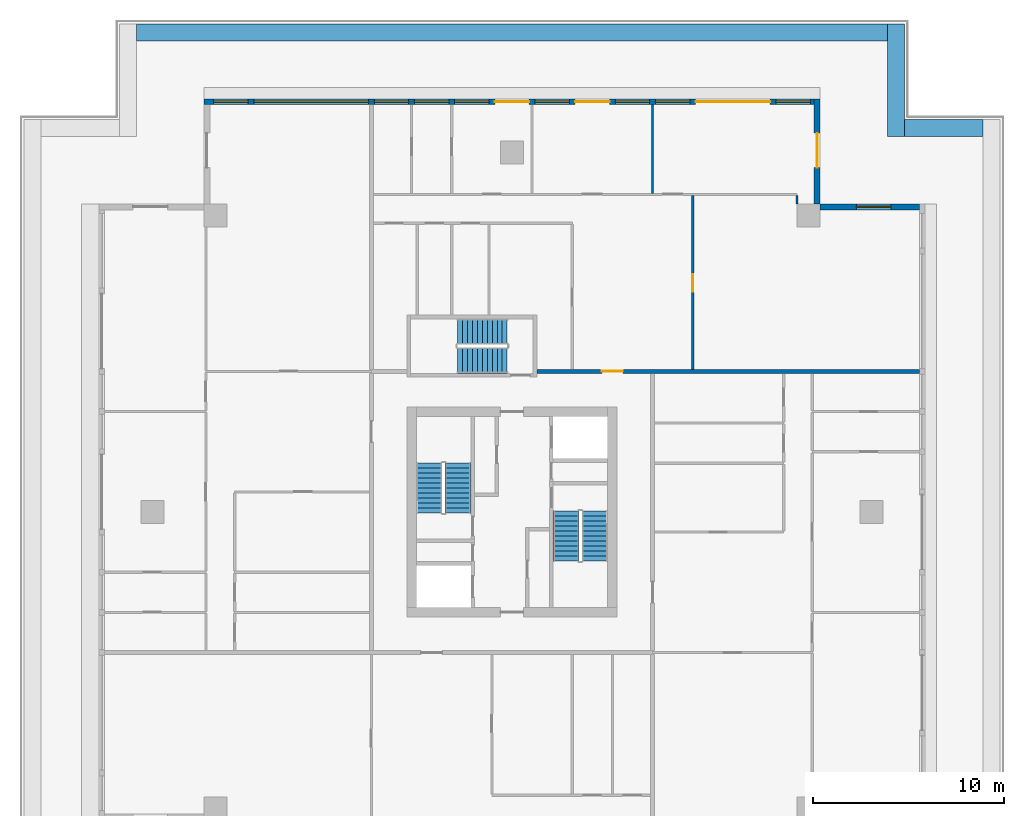
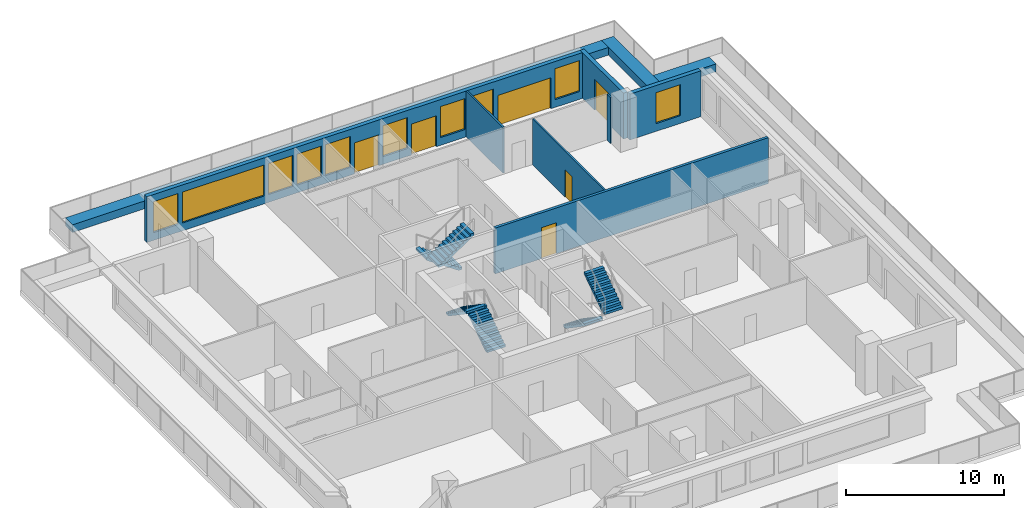
# One storey, part 6 of 11: 10 walls, 10 windows, 6 doors, 6 stair flights, 16 openings, 3 elements without a shape of their own.
"""IFC4 building model written with IfcOpenShell, lengths in metres."""

from ifc_helpers import new_model, si_unit, direction, frame, frame_2d, origin, place, context, subcontext, project, spatial, polyline, rectangle, outline, extrude, material, layer, layer_set, type_object, element, fill, aggregate, save


model = new_model("IFC4")

# Units and contexts
model_context = context("Model", 3, precision=1e-05, world=origin(), true_north=direction((0.0, 1.0)))
body_context = subcontext(model_context, "Body", "Model", "MODEL_VIEW")
ifc_project = project(units=[si_unit("LENGTHUNIT", "METRE"), si_unit("AREAUNIT", "SQUARE_METRE"), si_unit("VOLUMEUNIT", "CUBIC_METRE"), si_unit("PLANEANGLEUNIT", "RADIAN"), si_unit("MASSUNIT", "GRAM", prefix="KILO")], contexts=[model_context])

# Site, building, storey
site_placement = place(None, origin())
site = spatial("IfcSite", under=ifc_project, at=site_placement, CompositionType="ELEMENT")
building_placement = place(site_placement, origin())
building = spatial("IfcBuilding", under=site, at=building_placement, Name="Khepri Terraces", CompositionType="ELEMENT")
storey_placement = place(building_placement, frame((0.0, 0.0, 292.800048828125)))
storey = spatial("IfcBuildingStorey", under=building, at=storey_placement, Name="L70", CompositionType="ELEMENT", Elevation=292.800048828125)

# Wall, opening, door
ifc_material_1 = material(Name="Fire-rated gypsum plasterboard partition, mineral wool")
ifc_layer_1 = layer(ifc_material_1, 0.199951171875, Name="Fire-rated gypsum plasterboard partition, mineral wool")
ifc_layer_set_1 = layer_set([ifc_layer_1], Name="Fire-rated gypsum plasterboard partition, mineral wool")
wall_type_1 = type_object("IfcWallType", Name="WL-CORR-200", PredefinedType="PARTITIONING", material=ifc_layer_set_1)
wall_1_placement = place(storey_placement, frame((1.300048828125, 7.35009765625, 0.0), z_axis=(0.0, 0.0, 1.0), x_axis=(1.0, 0.0, 0.0)))
wall_1 = element("IfcWall", 1, at=wall_1_placement, inside=storey, type_object=wall_type_1, Name="Partition P-045 L70", PredefinedType="PARTITIONING", context=body_context, shape_type="SweptSolid", body=[
    extrude(rectangle(XDim=20.0, YDim=0.199951171875, at=frame_2d((10.0, 0.0))), origin(), (0.0, 0.0, 1.0), 3.550048828125),
])
opening_1_placement = place(wall_1_placement, frame((3.39990234375, 0.0, 0.0)))
opening_1 = element("IfcOpeningElement", 2, at=opening_1_placement, cuts=wall_1, Name="Opening D1", PredefinedType="OPENING", context=body_context, shape_type="SweptSolid", body=[
    extrude(rectangle(XDim=1.10009765625, YDim=2.39990234375, at=frame_2d((0.550048828125, 1.199951171875))), frame((0.0, 0.10986328125, 0.0), z_axis=(0.0, -1.0, 0.0), x_axis=(1.0, 0.0, 0.0)), (0.0, 0.0, 1.0), 0.219970703125),
])
ifc_material_2 = material(Name="Solid-core timber door leaf, flat entrance door", Category="wood")
door_type_1 = type_object("IfcDoorType", Name="DR-ENT-1100", OperationType="NOTDEFINED", PredefinedType="DOOR", material=ifc_material_2)
door_1_placement = place(opening_1_placement, origin())
door_1 = element("IfcDoor", 3, at=door_1_placement, inside=storey, type_object=door_type_1, Name="Flat C1 entrance door", OperationType="SINGLE_SWING_LEFT", OverallHeight=2.39990234375, OverallWidth=1.10009765625, PredefinedType="DOOR", context=body_context, shape_type="SweptSolid", body=[
    extrude(rectangle(XDim=1.10009765625, YDim=2.39990234375, at=frame_2d((0.550048828125, 1.199951171875))), frame((0.0, 0.02490234375, 0.0), z_axis=(0.0, -1.0, 0.0), x_axis=(1.0, 0.0, 0.0)), (0.0, 0.0, 1.0), 0.050048828125),
])
fill(opening_1, door_1)

# Wall, opening, window
ifc_material_3 = material(Name="Precast concrete C50/60 warm stone", Category="masonry")
ifc_layer_2 = layer(ifc_material_3, 0.300048828125, Name="Precast concrete C50/60 warm stone", Category="masonry")
ifc_layer_set_2 = layer_set([ifc_layer_2], Name="Precast concrete C50/60 warm stone")
wall_type_2 = type_object("IfcWallType", Name="WL-EXT-PRECAST-300", PredefinedType="STANDARD", material=ifc_layer_set_2)
wall_2_placement = place(storey_placement, frame((21.300048828125, 15.949951171875, 0.0), z_axis=(0.0, 0.0, 1.0), x_axis=(-1.0, 0.0, 0.0)))
wall_2 = element("IfcWall", 4, at=wall_2_placement, inside=storey, type_object=wall_type_2, Name="External wall L70 N", PredefinedType="STANDARD", context=body_context, shape_type="SweptSolid", body=[
    extrude(rectangle(XDim=5.199951171875, YDim=0.300048828125, at=frame_2d((2.60009765625, 0.0))), origin(), (0.0, 0.0, 1.0), 3.550048828125),
])
opening_2_placement = place(wall_2_placement, frame((1.5, 0.0, 0.60009765625)))
opening_2 = element("IfcOpeningElement", 5, at=opening_2_placement, cuts=wall_2, Name="Opening WC1", PredefinedType="OPENING", context=body_context, shape_type="SweptSolid", body=[
    extrude(rectangle(XDim=1.800048828125, YDim=2.39990234375, at=frame_2d((0.89990234375, 1.199951171875))), frame((0.0, 0.16015625, 0.0), z_axis=(0.0, -1.0, 0.0), x_axis=(1.0, 0.0, 0.0)), (0.0, 0.0, 1.0), 0.320068359375),
])
ifc_material_4 = material(Name="Clear glass", Category="glass")
window_type_1 = type_object("IfcWindowType", Name="WIN-CRN-1800x2400", PartitioningType="SINGLE_PANEL", PredefinedType="WINDOW", material=ifc_material_4)
window_1_placement = place(opening_2_placement, origin())
window_1 = element("IfcWindow", 6, at=window_1_placement, inside=storey, type_object=window_type_1, Name="Window L70 N", OverallHeight=2.39990234375, OverallWidth=1.800048828125, PartitioningType="SINGLE_PANEL", PredefinedType="WINDOW", context=body_context, shape_type="SweptSolid", body=[
    extrude(rectangle(XDim=1.800048828125, YDim=2.39990234375, at=frame_2d((0.89990234375, 1.199951171875))), frame((0.0, 0.030029296875, 0.0), z_axis=(0.0, -1.0, 0.0), x_axis=(1.0, 0.0, 0.0)), (0.0, 0.0, 1.0), 0.06005859375),
])
fill(opening_2, window_1)

# Wall, opening, door
wall_3_placement = place(storey_placement, frame((15.949951171875, 16.10009765625, 0.0), z_axis=(0.0, 0.0, 1.0), x_axis=(0.0, 1.0, 0.0)))
wall_3 = element("IfcWall", 7, at=wall_3_placement, inside=storey, type_object=wall_type_2, Name="External wall L70 E", PredefinedType="STANDARD", context=body_context, shape_type="SweptSolid", body=[
    extrude(rectangle(XDim=5.5, YDim=0.300048828125, at=frame_2d((2.75, 0.0))), origin(), (0.0, 0.0, 1.0), 3.550048828125),
])
opening_3_placement = place(wall_3_placement, frame((1.89990234375, 0.0, 0.0)))
opening_3 = element("IfcOpeningElement", 8, at=opening_3_placement, cuts=wall_3, Name="Opening ED-L70-03", PredefinedType="OPENING", context=body_context, shape_type="SweptSolid", body=[
    extrude(rectangle(XDim=1.800048828125, YDim=2.39990234375, at=frame_2d((0.89990234375, 1.199951171875))), frame((0.0, 0.16015625, 0.0), z_axis=(0.0, -1.0, 0.0), x_axis=(1.0, 0.0, 0.0)), (0.0, 0.0, 1.0), 0.320068359375),
])
ifc_material_5 = material(Name="Anodised aluminium bronze glazed door", Category="aluminium")
door_type_2 = type_object("IfcDoorType", Name="DR-BAL-SLIDE-1800x2400", OperationType="NOTDEFINED", PredefinedType="DOOR", material=ifc_material_5)
door_2_placement = place(opening_3_placement, origin())
door_2 = element("IfcDoor", 9, at=door_2_placement, inside=storey, type_object=door_type_2, Name="Balcony door L70 E", OperationType="SLIDING_TO_LEFT", OverallHeight=2.39990234375, OverallWidth=1.800048828125, PredefinedType="DOOR", context=body_context, shape_type="SweptSolid", body=[
    extrude(rectangle(XDim=1.800048828125, YDim=2.39990234375, at=frame_2d((0.89990234375, 1.199951171875))), frame((0.0, 0.02490234375, 0.0), z_axis=(0.0, -1.0, 0.0), x_axis=(1.0, 0.0, 0.0)), (0.0, 0.0, 1.0), 0.050048828125),
])
fill(opening_3, door_2)

# Wall, openings, doors, windows
wall_4_placement = place(storey_placement, frame((15.800048828125, 21.449951171875, 0.0), z_axis=(0.0, 0.0, 1.0), x_axis=(-1.0, 0.0, 0.0)))
wall_4 = element("IfcWall", 10, at=wall_4_placement, inside=storey, type_object=wall_type_2, Name="External wall L70 N", PredefinedType="STANDARD", context=body_context, shape_type="SweptSolid", body=[
    extrude(rectangle(XDim=31.900146484375, YDim=0.300048828125, at=frame_2d((15.9501953125, 0.0))), origin(), (0.0, 0.0, 1.0), 3.550048828125),
])
opening_4_placement = place(wall_4_placement, frame((0.199951171875, 0.0, 0.60009765625)))
opening_4 = element("IfcOpeningElement", 11, at=opening_4_placement, cuts=wall_4, Name="Opening WC1", PredefinedType="OPENING", context=body_context, shape_type="SweptSolid", body=[
    extrude(rectangle(XDim=1.800048828125, YDim=2.39990234375, at=frame_2d((0.89990234375, 1.199951171875))), frame((0.0, 0.16015625, 0.0), z_axis=(0.0, -1.0, 0.0), x_axis=(1.0, 0.0, 0.0)), (0.0, 0.0, 1.0), 0.320068359375),
])
opening_5_placement = place(wall_4_placement, frame((2.300048828125, 0.0, 0.0)))
opening_5 = element("IfcOpeningElement", 12, at=opening_5_placement, cuts=wall_4, Name="Opening ED-L70-04", PredefinedType="OPENING", context=body_context, shape_type="SweptSolid", body=[
    extrude(rectangle(XDim=3.89990234375, YDim=2.39990234375, at=frame_2d((1.949951171875, 1.199951171875))), frame((0.0, 0.16015625, 0.0), z_axis=(0.0, -1.0, 0.0), x_axis=(1.0, 0.0, 0.0)), (0.0, 0.0, 1.0), 0.320068359375),
])
opening_6_placement = place(wall_4_placement, frame((6.5, 0.0, 0.60009765625)))
opening_6 = element("IfcOpeningElement", 13, at=opening_6_placement, cuts=wall_4, Name="Opening WC1", PredefinedType="OPENING", context=body_context, shape_type="SweptSolid", body=[
    extrude(rectangle(XDim=1.800048828125, YDim=2.39990234375, at=frame_2d((0.89990234375, 1.199951171875))), frame((0.0, 0.16015625, 0.0), z_axis=(0.0, -1.0, 0.0), x_axis=(1.0, 0.0, 0.0)), (0.0, 0.0, 1.0), 0.320068359375),
])
opening_7_placement = place(wall_4_placement, frame((8.60009765625, 0.0, 0.60009765625)))
opening_7 = element("IfcOpeningElement", 14, at=opening_7_placement, cuts=wall_4, Name="Opening WC1", PredefinedType="OPENING", context=body_context, shape_type="SweptSolid", body=[
    extrude(rectangle(XDim=1.800048828125, YDim=2.39990234375, at=frame_2d((0.89990234375, 1.199951171875))), frame((0.0, 0.16015625, 0.0), z_axis=(0.0, -1.0, 0.0), x_axis=(1.0, 0.0, 0.0)), (0.0, 0.0, 1.0), 0.320068359375),
])
opening_8_placement = place(wall_4_placement, frame((10.699951171875, 0.0, 0.0)))
opening_8 = element("IfcOpeningElement", 15, at=opening_8_placement, cuts=wall_4, Name="Opening ED-L70-05", PredefinedType="OPENING", context=body_context, shape_type="SweptSolid", body=[
    extrude(rectangle(XDim=1.800048828125, YDim=2.39990234375, at=frame_2d((0.89990234375, 1.199951171875))), frame((0.0, 0.16015625, 0.0), z_axis=(0.0, -1.0, 0.0), x_axis=(1.0, 0.0, 0.0)), (0.0, 0.0, 1.0), 0.320068359375),
])
opening_9_placement = place(wall_4_placement, frame((12.800048828125, 0.0, 0.60009765625)))
opening_9 = element("IfcOpeningElement", 16, at=opening_9_placement, cuts=wall_4, Name="Opening WC1", PredefinedType="OPENING", context=body_context, shape_type="SweptSolid", body=[
    extrude(rectangle(XDim=1.800048828125, YDim=2.39990234375, at=frame_2d((0.89990234375, 1.199951171875))), frame((0.0, 0.16015625, 0.0), z_axis=(0.0, -1.0, 0.0), x_axis=(1.0, 0.0, 0.0)), (0.0, 0.0, 1.0), 0.320068359375),
])
opening_10_placement = place(wall_4_placement, frame((14.89990234375, 0.0, 0.0)))
opening_10 = element("IfcOpeningElement", 17, at=opening_10_placement, cuts=wall_4, Name="Opening ED-L70-06", PredefinedType="OPENING", context=body_context, shape_type="SweptSolid", body=[
    extrude(rectangle(XDim=1.800048828125, YDim=2.39990234375, at=frame_2d((0.89990234375, 1.199951171875))), frame((0.0, 0.16015625, 0.0), z_axis=(0.0, -1.0, 0.0), x_axis=(1.0, 0.0, 0.0)), (0.0, 0.0, 1.0), 0.320068359375),
])
opening_11_placement = place(wall_4_placement, frame((17.0, 0.0, 0.60009765625)))
opening_11 = element("IfcOpeningElement", 18, at=opening_11_placement, cuts=wall_4, Name="Opening WC1", PredefinedType="OPENING", context=body_context, shape_type="SweptSolid", body=[
    extrude(rectangle(XDim=1.800048828125, YDim=2.39990234375, at=frame_2d((0.89990234375, 1.199951171875))), frame((0.0, 0.16015625, 0.0), z_axis=(0.0, -1.0, 0.0), x_axis=(1.0, 0.0, 0.0)), (0.0, 0.0, 1.0), 0.320068359375),
])
opening_12_placement = place(wall_4_placement, frame((19.10009765625, 0.0, 0.60009765625)))
opening_12 = element("IfcOpeningElement", 19, at=opening_12_placement, cuts=wall_4, Name="Opening WC1", PredefinedType="OPENING", context=body_context, shape_type="SweptSolid", body=[
    extrude(rectangle(XDim=1.800048828125, YDim=2.39990234375, at=frame_2d((0.89990234375, 1.199951171875))), frame((0.0, 0.16015625, 0.0), z_axis=(0.0, -1.0, 0.0), x_axis=(1.0, 0.0, 0.0)), (0.0, 0.0, 1.0), 0.320068359375),
])
opening_13_placement = place(wall_4_placement, frame((21.199951171875, 0.0, 0.60009765625)))
opening_13 = element("IfcOpeningElement", 20, at=opening_13_placement, cuts=wall_4, Name="Opening WC1", PredefinedType="OPENING", context=body_context, shape_type="SweptSolid", body=[
    extrude(rectangle(XDim=1.800048828125, YDim=2.39990234375, at=frame_2d((0.89990234375, 1.199951171875))), frame((0.0, 0.16015625, 0.0), z_axis=(0.0, -1.0, 0.0), x_axis=(1.0, 0.0, 0.0)), (0.0, 0.0, 1.0), 0.320068359375),
])
opening_14_placement = place(wall_4_placement, frame((23.300048828125, 0.0, 0.60009765625)))
opening_14 = element("IfcOpeningElement", 21, at=opening_14_placement, cuts=wall_4, Name="Opening WC3", PredefinedType="OPENING", context=body_context, shape_type="SweptSolid", body=[
    extrude(rectangle(XDim=6.0, YDim=2.39990234375, at=frame_2d((3.0, 1.199951171875))), frame((0.0, 0.16015625, 0.0), z_axis=(0.0, -1.0, 0.0), x_axis=(1.0, 0.0, 0.0)), (0.0, 0.0, 1.0), 0.320068359375),
])
opening_15_placement = place(wall_4_placement, frame((29.60009765625, 0.0, 0.60009765625)))
opening_15 = element("IfcOpeningElement", 22, at=opening_15_placement, cuts=wall_4, Name="Opening WC1", PredefinedType="OPENING", context=body_context, shape_type="SweptSolid", body=[
    extrude(rectangle(XDim=1.800048828125, YDim=2.39990234375, at=frame_2d((0.89990234375, 1.199951171875))), frame((0.0, 0.16015625, 0.0), z_axis=(0.0, -1.0, 0.0), x_axis=(1.0, 0.0, 0.0)), (0.0, 0.0, 1.0), 0.320068359375),
])
door_3_placement = place(opening_8_placement, origin())
door_3 = element("IfcDoor", 23, at=door_3_placement, inside=storey, type_object=door_type_2, Name="Balcony door L70 N", OperationType="SLIDING_TO_LEFT", OverallHeight=2.39990234375, OverallWidth=1.800048828125, PredefinedType="DOOR", context=body_context, shape_type="SweptSolid", body=[
    extrude(rectangle(XDim=1.800048828125, YDim=2.39990234375, at=frame_2d((0.89990234375, 1.199951171875))), frame((0.0, 0.02490234375, 0.0), z_axis=(0.0, -1.0, 0.0), x_axis=(1.0, 0.0, 0.0)), (0.0, 0.0, 1.0), 0.050048828125),
])
fill(opening_8, door_3)
door_4_placement = place(opening_10_placement, origin())
door_4 = element("IfcDoor", 24, at=door_4_placement, inside=storey, type_object=door_type_2, Name="Balcony door L70 N", OperationType="SLIDING_TO_LEFT", OverallHeight=2.39990234375, OverallWidth=1.800048828125, PredefinedType="DOOR", context=body_context, shape_type="SweptSolid", body=[
    extrude(rectangle(XDim=1.800048828125, YDim=2.39990234375, at=frame_2d((0.89990234375, 1.199951171875))), frame((0.0, 0.02490234375, 0.0), z_axis=(0.0, -1.0, 0.0), x_axis=(1.0, 0.0, 0.0)), (0.0, 0.0, 1.0), 0.050048828125),
])
fill(opening_10, door_4)
door_type_3 = type_object("IfcDoorType", Name="DR-BAL-SLIDE-3900x2400", OperationType="NOTDEFINED", PredefinedType="DOOR", material=ifc_material_5)
door_5_placement = place(opening_5_placement, origin())
door_5 = element("IfcDoor", 25, at=door_5_placement, inside=storey, type_object=door_type_3, Name="Balcony door L70 N", OperationType="SLIDING_TO_RIGHT", OverallHeight=2.39990234375, OverallWidth=3.89990234375, PredefinedType="DOOR", context=body_context, shape_type="SweptSolid", body=[
    extrude(rectangle(XDim=3.89990234375, YDim=2.39990234375, at=frame_2d((1.949951171875, 1.199951171875))), frame((0.0, 0.02490234375, 0.0), z_axis=(0.0, -1.0, 0.0), x_axis=(1.0, 0.0, 0.0)), (0.0, 0.0, 1.0), 0.050048828125),
])
fill(opening_5, door_5)
window_2_placement = place(opening_4_placement, origin())
window_2 = element("IfcWindow", 26, at=window_2_placement, inside=storey, type_object=window_type_1, Name="Window L70 N", OverallHeight=2.39990234375, OverallWidth=1.800048828125, PartitioningType="SINGLE_PANEL", PredefinedType="WINDOW", context=body_context, shape_type="SweptSolid", body=[
    extrude(rectangle(XDim=1.800048828125, YDim=2.39990234375, at=frame_2d((0.89990234375, 1.199951171875))), frame((0.0, 0.030029296875, 0.0), z_axis=(0.0, -1.0, 0.0), x_axis=(1.0, 0.0, 0.0)), (0.0, 0.0, 1.0), 0.06005859375),
])
fill(opening_4, window_2)
window_3_placement = place(opening_6_placement, origin())
window_3 = element("IfcWindow", 27, at=window_3_placement, inside=storey, type_object=window_type_1, Name="Window L70 N", OverallHeight=2.39990234375, OverallWidth=1.800048828125, PartitioningType="SINGLE_PANEL", PredefinedType="WINDOW", context=body_context, shape_type="SweptSolid", body=[
    extrude(rectangle(XDim=1.800048828125, YDim=2.39990234375, at=frame_2d((0.89990234375, 1.199951171875))), frame((0.0, 0.030029296875, 0.0), z_axis=(0.0, -1.0, 0.0), x_axis=(1.0, 0.0, 0.0)), (0.0, 0.0, 1.0), 0.06005859375),
])
fill(opening_6, window_3)
window_4_placement = place(opening_7_placement, origin())
window_4 = element("IfcWindow", 28, at=window_4_placement, inside=storey, type_object=window_type_1, Name="Window L70 N", OverallHeight=2.39990234375, OverallWidth=1.800048828125, PartitioningType="SINGLE_PANEL", PredefinedType="WINDOW", context=body_context, shape_type="SweptSolid", body=[
    extrude(rectangle(XDim=1.800048828125, YDim=2.39990234375, at=frame_2d((0.89990234375, 1.199951171875))), frame((0.0, 0.030029296875, 0.0), z_axis=(0.0, -1.0, 0.0), x_axis=(1.0, 0.0, 0.0)), (0.0, 0.0, 1.0), 0.06005859375),
])
fill(opening_7, window_4)
window_5_placement = place(opening_9_placement, origin())
window_5 = element("IfcWindow", 29, at=window_5_placement, inside=storey, type_object=window_type_1, Name="Window L70 N", OverallHeight=2.39990234375, OverallWidth=1.800048828125, PartitioningType="SINGLE_PANEL", PredefinedType="WINDOW", context=body_context, shape_type="SweptSolid", body=[
    extrude(rectangle(XDim=1.800048828125, YDim=2.39990234375, at=frame_2d((0.89990234375, 1.199951171875))), frame((0.0, 0.030029296875, 0.0), z_axis=(0.0, -1.0, 0.0), x_axis=(1.0, 0.0, 0.0)), (0.0, 0.0, 1.0), 0.06005859375),
])
fill(opening_9, window_5)
window_6_placement = place(opening_11_placement, origin())
window_6 = element("IfcWindow", 30, at=window_6_placement, inside=storey, type_object=window_type_1, Name="Window L70 N", OverallHeight=2.39990234375, OverallWidth=1.800048828125, PartitioningType="SINGLE_PANEL", PredefinedType="WINDOW", context=body_context, shape_type="SweptSolid", body=[
    extrude(rectangle(XDim=1.800048828125, YDim=2.39990234375, at=frame_2d((0.89990234375, 1.199951171875))), frame((0.0, 0.030029296875, 0.0), z_axis=(0.0, -1.0, 0.0), x_axis=(1.0, 0.0, 0.0)), (0.0, 0.0, 1.0), 0.06005859375),
])
fill(opening_11, window_6)
window_7_placement = place(opening_12_placement, origin())
window_7 = element("IfcWindow", 31, at=window_7_placement, inside=storey, type_object=window_type_1, Name="Window L70 N", OverallHeight=2.39990234375, OverallWidth=1.800048828125, PartitioningType="SINGLE_PANEL", PredefinedType="WINDOW", context=body_context, shape_type="SweptSolid", body=[
    extrude(rectangle(XDim=1.800048828125, YDim=2.39990234375, at=frame_2d((0.89990234375, 1.199951171875))), frame((0.0, 0.030029296875, 0.0), z_axis=(0.0, -1.0, 0.0), x_axis=(1.0, 0.0, 0.0)), (0.0, 0.0, 1.0), 0.06005859375),
])
fill(opening_12, window_7)
window_8_placement = place(opening_13_placement, origin())
window_8 = element("IfcWindow", 32, at=window_8_placement, inside=storey, type_object=window_type_1, Name="Window L70 N", OverallHeight=2.39990234375, OverallWidth=1.800048828125, PartitioningType="SINGLE_PANEL", PredefinedType="WINDOW", context=body_context, shape_type="SweptSolid", body=[
    extrude(rectangle(XDim=1.800048828125, YDim=2.39990234375, at=frame_2d((0.89990234375, 1.199951171875))), frame((0.0, 0.030029296875, 0.0), z_axis=(0.0, -1.0, 0.0), x_axis=(1.0, 0.0, 0.0)), (0.0, 0.0, 1.0), 0.06005859375),
])
fill(opening_13, window_8)
window_9_placement = place(opening_15_placement, origin())
window_9 = element("IfcWindow", 33, at=window_9_placement, inside=storey, type_object=window_type_1, Name="Window L70 N", OverallHeight=2.39990234375, OverallWidth=1.800048828125, PartitioningType="SINGLE_PANEL", PredefinedType="WINDOW", context=body_context, shape_type="SweptSolid", body=[
    extrude(rectangle(XDim=1.800048828125, YDim=2.39990234375, at=frame_2d((0.89990234375, 1.199951171875))), frame((0.0, 0.030029296875, 0.0), z_axis=(0.0, -1.0, 0.0), x_axis=(1.0, 0.0, 0.0)), (0.0, 0.0, 1.0), 0.06005859375),
])
fill(opening_15, window_9)
window_type_2 = type_object("IfcWindowType", Name="WIN-CRN-6000x2400", PartitioningType="SINGLE_PANEL", PredefinedType="WINDOW", material=ifc_material_4)
window_10_placement = place(opening_14_placement, origin())
window_10 = element("IfcWindow", 34, at=window_10_placement, inside=storey, type_object=window_type_2, Name="Window L70 N", OverallHeight=2.39990234375, OverallWidth=6.0, PartitioningType="SINGLE_PANEL", PredefinedType="WINDOW", context=body_context, shape_type="SweptSolid", body=[
    extrude(rectangle(XDim=6.0, YDim=2.39990234375, at=frame_2d((3.0, 1.199951171875))), frame((0.0, 0.030029296875, 0.0), z_axis=(0.0, -1.0, 0.0), x_axis=(1.0, 0.0, 0.0)), (0.0, 0.0, 1.0), 0.06005859375),
])
fill(opening_14, window_10)

# Wall, opening, door
ifc_material_6 = material(Name="Gypsum plasterboard partition")
ifc_layer_3 = layer(ifc_material_6, 0.1201171875, Name="Gypsum plasterboard partition")
ifc_layer_set_3 = layer_set([ifc_layer_3], Name="Gypsum plasterboard partition")
wall_type_3 = type_object("IfcWallType", Name="WL-PART-120", PredefinedType="PARTITIONING", material=ifc_layer_set_3)
wall_5_placement = place(storey_placement, frame((9.449951171875, 7.449951171875, 0.0), z_axis=(0.0, 0.0, 1.0), x_axis=(0.0, 1.0, 0.0)))
wall_5 = element("IfcWall", 35, at=wall_5_placement, inside=storey, type_object=wall_type_3, Name="Partition P-049 L70", PredefinedType="PARTITIONING", context=body_context, shape_type="SweptSolid", body=[
    extrude(rectangle(XDim=9.090087890625, YDim=0.1201171875, at=frame_2d((4.544921875, 0.0))), origin(), (0.0, 0.0, 1.0), 3.550048828125),
])
opening_16_placement = place(wall_5_placement, frame((4.074951171875, 0.0, 0.0)))
opening_16 = element("IfcOpeningElement", 36, at=opening_16_placement, cuts=wall_5, Name="Opening D3", PredefinedType="OPENING", context=body_context, shape_type="SweptSolid", body=[
    extrude(rectangle(XDim=0.89990234375, YDim=2.10009765625, at=frame_2d((0.449951171875, 1.050048828125))), frame((0.0, 0.070068359375, 0.0), z_axis=(0.0, -1.0, 0.0), x_axis=(1.0, 0.0, 0.0)), (0.0, 0.0, 1.0), 0.14013671875),
])
ifc_material_7 = material(Name="Timber door leaf", Category="wood")
door_type_4 = type_object("IfcDoorType", Name="DR-INT-900", OperationType="NOTDEFINED", PredefinedType="DOOR", material=ifc_material_7)
door_6_placement = place(opening_16_placement, frame((0.89990234375, 0.0, 0.0), z_axis=(0.0, 0.0, 1.0), x_axis=(-1.0, 0.0, 0.0)))
door_6 = element("IfcDoor", 37, at=door_6_placement, inside=storey, type_object=door_type_4, Name="Door Home Cinema", OperationType="SINGLE_SWING_RIGHT", OverallHeight=2.10009765625, OverallWidth=0.89990234375, PredefinedType="DOOR", context=body_context, shape_type="SweptSolid", body=[
    extrude(rectangle(XDim=0.89990234375, YDim=2.10009765625, at=frame_2d((0.449951171875, 1.050048828125))), frame((0.0, 0.02490234375, 0.0), z_axis=(0.0, -1.0, 0.0), x_axis=(1.0, 0.0, 0.0)), (0.0, 0.0, 1.0), 0.050048828125),
])
fill(opening_16, door_6)

# Walls
wall_6_placement = place(storey_placement, frame((14.89892578125, 16.10009765625, 0.0), z_axis=(0.0, 0.0, 1.0), x_axis=(0.0, 1.0, 0.0)))
element("IfcWall", 38, at=wall_6_placement, inside=storey, type_object=wall_type_3, Name="Partition P-054 L70", PredefinedType="PARTITIONING", context=body_context, shape_type="SweptSolid", body=[
    extrude(rectangle(XDim=0.43994140625, YDim=0.1201171875, at=frame_2d((0.219970703125, 0.0))), origin(), (0.0, 0.0, 1.0), 3.550048828125),
])
wall_7_placement = place(storey_placement, frame((7.35009765625, 16.659912109375, 0.0), z_axis=(0.0, 0.0, 1.0), x_axis=(0.0, 1.0, 0.0)))
element("IfcWall", 39, at=wall_7_placement, inside=storey, type_object=wall_type_3, Name="Partition P-059 L70", PredefinedType="PARTITIONING", context=body_context, shape_type="SweptSolid", body=[
    extrude(rectangle(XDim=4.64013671875, YDim=0.1201171875, at=frame_2d((2.320068359375, 0.0))), origin(), (0.0, 0.0, 1.0), 3.550048828125),
])
ifc_layer_4 = layer(ifc_material_3, 0.89990234375, Name="Precast concrete C50/60 warm stone", Category="masonry")
ifc_layer_set_4 = layer_set([ifc_layer_4], Name="Precast concrete C50/60 warm stone")
wall_type_4 = type_object("IfcWallType", Name="WL-PLANTER-900", PredefinedType="MOVABLE", material=ifc_layer_set_4)
wall_8_placement = place(storey_placement, frame((-19.6201171875, 25.070068359375, 0.0), z_axis=(0.0, 0.0, 1.0), x_axis=(1.0, 0.0, 0.0)))
element("IfcWall", 40, at=wall_8_placement, inside=storey, type_object=wall_type_4, Name="Planter L70", PredefinedType="MOVABLE", context=body_context, shape_type="SweptSolid", body=[
    extrude(rectangle(XDim=39.240234375, YDim=0.89990234375, at=frame_2d((19.6201171875, 0.0))), origin(), (0.0, 0.0, 1.0), 0.599853515625),
])
wall_9_placement = place(storey_placement, frame((20.070068359375, 19.6201171875, 0.0), z_axis=(0.0, 0.0, 1.0), x_axis=(0.0, 1.0, 0.0)))
element("IfcWall", 41, at=wall_9_placement, inside=storey, type_object=wall_type_4, Name="Planter L70", PredefinedType="MOVABLE", context=body_context, shape_type="SweptSolid", body=[
    extrude(rectangle(XDim=5.89990234375, YDim=0.89990234375, at=frame_2d((2.949951171875, 0.0))), origin(), (0.0, 0.0, 1.0), 0.599853515625),
])
wall_10_placement = place(storey_placement, frame((20.52001953125, 20.070068359375, 0.0), z_axis=(0.0, 0.0, 1.0), x_axis=(1.0, 0.0, 0.0)))
element("IfcWall", 42, at=wall_10_placement, inside=storey, type_object=wall_type_4, Name="Planter L70", PredefinedType="MOVABLE", context=body_context, shape_type="SweptSolid", body=[
    extrude(rectangle(XDim=4.10009765625, YDim=0.89990234375, at=frame_2d((2.050048828125, 0.0))), origin(), (0.0, 0.0, 1.0), 0.599853515625),
])

# Stair, stair flights
ifc_material_8 = material(Name="Concrete C40/50", Category="concrete")
stair_type = type_object("IfcStairType", Name="STAIR-RC-22R", PredefinedType="HALF_TURN_STAIR", material=ifc_material_8)
stair_1_placement = place(storey_placement, origin())
stair_1 = element("IfcStair", 43, at=stair_1_placement, inside=storey, type_object=stair_type, Name="L70 Exit Stair ST-1", PredefinedType="HALF_TURN_STAIR")
stair_flight_type = type_object("IfcStairFlightType", Name="SFL-RC-177.3", PredefinedType="STRAIGHT", material=ifc_material_8)
stair_flight_1_placement = place(storey_placement, frame((-2.824951171875, -0.050048828125, 0.0), z_axis=(0.0, 0.0, 1.0), x_axis=(0.0, 1.0, 0.0)))
stair_flight_1 = element("IfcStairFlight", 44, at=stair_flight_1_placement, type_object=stair_flight_type, Name="ST-1 flight 1", NumberOfRisers=11, NumberOfTreads=10, PredefinedType="STRAIGHT", RiserHeight=0.177272727, TreadLength=0.26, context=body_context, shape_type="SweptSolid", body=[
    extrude(outline(polyline([(0.0, 0.0), (0.0, 0.17724609375), (0.260009765625, 0.17724609375), (0.260009765625, 0.3544921875), (0.52001953125, 0.3544921875), (0.52001953125, 0.53173828125), (0.780029296875, 0.53173828125), (0.780029296875, 0.708984375), (1.0400390625, 0.708984375), (1.0400390625, 0.886474609375), (1.300048828125, 0.886474609375), (1.300048828125, 1.063720703125), (1.56005859375, 1.063720703125), (1.56005859375, 1.240966796875), (1.820068359375, 1.240966796875), (1.820068359375, 1.418212890625), (2.080078125, 1.418212890625), (2.080078125, 1.595458984375), (2.340087890625, 1.595458984375), (2.340087890625, 1.772705078125), (2.60009765625, 1.772705078125), (2.60009765625, 1.949951171875), (2.60009765625, 1.59130859375), (0.26611328125, 0.0), (0.0, 0.0)])), frame((0.0, 0.675048828125, 0.0), z_axis=(0.0, -1.0, 0.0), x_axis=(1.0, 0.0, 0.0)), (0.0, 0.0, 1.0), 1.35009765625),
])
stair_flight_2_placement = place(storey_placement, frame((-4.324951171875, 2.550048828125, 1.949951171875), z_axis=(0.0, 0.0, 1.0), x_axis=(0.0, -1.0, 0.0)))
stair_flight_2 = element("IfcStairFlight", 45, at=stair_flight_2_placement, type_object=stair_flight_type, Name="ST-1 flight 2", NumberOfRisers=11, NumberOfTreads=10, PredefinedType="STRAIGHT", RiserHeight=0.177272727, TreadLength=0.26, context=body_context, shape_type="SweptSolid", body=[
    extrude(outline(polyline([(0.0, 0.0), (0.0, 0.17724609375), (0.260009765625, 0.17724609375), (0.260009765625, 0.3544921875), (0.52001953125, 0.3544921875), (0.52001953125, 0.53173828125), (0.780029296875, 0.53173828125), (0.780029296875, 0.708984375), (1.0400390625, 0.708984375), (1.0400390625, 0.886474609375), (1.300048828125, 0.886474609375), (1.300048828125, 1.063720703125), (1.56005859375, 1.063720703125), (1.56005859375, 1.240966796875), (1.820068359375, 1.240966796875), (1.820068359375, 1.418212890625), (2.080078125, 1.418212890625), (2.080078125, 1.595458984375), (2.340087890625, 1.595458984375), (2.340087890625, 1.772705078125), (2.60009765625, 1.772705078125), (2.60009765625, 1.949951171875), (2.60009765625, 1.59130859375), (0.26611328125, 0.0), (0.0, 0.0)])), frame((0.0, 0.675048828125, 0.0), z_axis=(0.0, -1.0, 0.0), x_axis=(1.0, 0.0, 0.0)), (0.0, 0.0, 1.0), 1.35009765625),
])
aggregate(stair_1, [stair_flight_1, stair_flight_2])

stair_2_placement = place(storey_placement, origin())
stair_2 = element("IfcStair", 46, at=stair_2_placement, inside=storey, type_object=stair_type, Name="L70 Exit Stair ST-2", PredefinedType="HALF_TURN_STAIR")
stair_flight_3_placement = place(storey_placement, frame((2.824951171875, 0.050048828125, 0.0), z_axis=(0.0, 0.0, 1.0), x_axis=(0.0, -1.0, 0.0)))
stair_flight_3 = element("IfcStairFlight", 47, at=stair_flight_3_placement, type_object=stair_flight_type, Name="ST-2 flight 1", NumberOfRisers=11, NumberOfTreads=10, PredefinedType="STRAIGHT", RiserHeight=0.177272727, TreadLength=0.26, context=body_context, shape_type="SweptSolid", body=[
    extrude(outline(polyline([(0.0, 0.0), (0.0, 0.17724609375), (0.260009765625, 0.17724609375), (0.260009765625, 0.3544921875), (0.52001953125, 0.3544921875), (0.52001953125, 0.53173828125), (0.780029296875, 0.53173828125), (0.780029296875, 0.708984375), (1.0400390625, 0.708984375), (1.0400390625, 0.886474609375), (1.300048828125, 0.886474609375), (1.300048828125, 1.063720703125), (1.56005859375, 1.063720703125), (1.56005859375, 1.240966796875), (1.820068359375, 1.240966796875), (1.820068359375, 1.418212890625), (2.080078125, 1.418212890625), (2.080078125, 1.595458984375), (2.340087890625, 1.595458984375), (2.340087890625, 1.772705078125), (2.60009765625, 1.772705078125), (2.60009765625, 1.949951171875), (2.60009765625, 1.59130859375), (0.26611328125, 0.0), (0.0, 0.0)])), frame((0.0, 0.675048828125, 0.0), z_axis=(0.0, -1.0, 0.0), x_axis=(1.0, 0.0, 0.0)), (0.0, 0.0, 1.0), 1.35009765625),
])
stair_flight_4_placement = place(storey_placement, frame((4.324951171875, -2.550048828125, 1.949951171875), z_axis=(0.0, 0.0, 1.0), x_axis=(0.0, 1.0, 0.0)))
stair_flight_4 = element("IfcStairFlight", 48, at=stair_flight_4_placement, type_object=stair_flight_type, Name="ST-2 flight 2", NumberOfRisers=11, NumberOfTreads=10, PredefinedType="STRAIGHT", RiserHeight=0.177272727, TreadLength=0.26, context=body_context, shape_type="SweptSolid", body=[
    extrude(outline(polyline([(0.0, 0.0), (0.0, 0.17724609375), (0.260009765625, 0.17724609375), (0.260009765625, 0.3544921875), (0.52001953125, 0.3544921875), (0.52001953125, 0.53173828125), (0.780029296875, 0.53173828125), (0.780029296875, 0.708984375), (1.0400390625, 0.708984375), (1.0400390625, 0.886474609375), (1.300048828125, 0.886474609375), (1.300048828125, 1.063720703125), (1.56005859375, 1.063720703125), (1.56005859375, 1.240966796875), (1.820068359375, 1.240966796875), (1.820068359375, 1.418212890625), (2.080078125, 1.418212890625), (2.080078125, 1.595458984375), (2.340087890625, 1.595458984375), (2.340087890625, 1.772705078125), (2.60009765625, 1.772705078125), (2.60009765625, 1.949951171875), (2.60009765625, 1.59130859375), (0.26611328125, 0.0), (0.0, 0.0)])), frame((0.0, 0.675048828125, 0.0), z_axis=(0.0, -1.0, 0.0), x_axis=(1.0, 0.0, 0.0)), (0.0, 0.0, 1.0), 1.35009765625),
])
aggregate(stair_2, [stair_flight_3, stair_flight_4])

stair_3_placement = place(storey_placement, origin())
stair_3 = element("IfcStair", 49, at=stair_3_placement, inside=storey, type_object=stair_type, Name="L70 Exit Stair ST-3", PredefinedType="HALF_TURN_STAIR")
stair_flight_5_placement = place(storey_placement, frame((-0.25, 9.425048828125, 0.0), z_axis=(0.0, 0.0, 1.0), x_axis=(-1.0, 0.0, 0.0)))
stair_flight_5 = element("IfcStairFlight", 50, at=stair_flight_5_placement, type_object=stair_flight_type, Name="ST-3 flight 1", NumberOfRisers=11, NumberOfTreads=10, PredefinedType="STRAIGHT", RiserHeight=0.177272727, TreadLength=0.26, context=body_context, shape_type="SweptSolid", body=[
    extrude(outline(polyline([(0.0, 0.0), (0.0, 0.17724609375), (0.260009765625, 0.17724609375), (0.260009765625, 0.3544921875), (0.52001953125, 0.3544921875), (0.52001953125, 0.53173828125), (0.780029296875, 0.53173828125), (0.780029296875, 0.708984375), (1.0400390625, 0.708984375), (1.0400390625, 0.886474609375), (1.300048828125, 0.886474609375), (1.300048828125, 1.063720703125), (1.56005859375, 1.063720703125), (1.56005859375, 1.240966796875), (1.820068359375, 1.240966796875), (1.820068359375, 1.418212890625), (2.080078125, 1.418212890625), (2.080078125, 1.595458984375), (2.340087890625, 1.595458984375), (2.340087890625, 1.772705078125), (2.60009765625, 1.772705078125), (2.60009765625, 1.949951171875), (2.60009765625, 1.59130859375), (0.26611328125, 0.0), (0.0, 0.0)])), frame((0.0, 0.675048828125, 0.0), z_axis=(0.0, -1.0, 0.0), x_axis=(1.0, 0.0, 0.0)), (0.0, 0.0, 1.0), 1.35009765625),
])
stair_flight_6_placement = place(storey_placement, frame((-2.85009765625, 7.925048828125, 1.949951171875), z_axis=(0.0, 0.0, 1.0), x_axis=(1.0, 0.0, 0.0)))
stair_flight_6 = element("IfcStairFlight", 51, at=stair_flight_6_placement, type_object=stair_flight_type, Name="ST-3 flight 2", NumberOfRisers=11, NumberOfTreads=10, PredefinedType="STRAIGHT", RiserHeight=0.177272727, TreadLength=0.26, context=body_context, shape_type="SweptSolid", body=[
    extrude(outline(polyline([(0.0, 0.0), (0.0, 0.17724609375), (0.260009765625, 0.17724609375), (0.260009765625, 0.3544921875), (0.52001953125, 0.3544921875), (0.52001953125, 0.53173828125), (0.780029296875, 0.53173828125), (0.780029296875, 0.708984375), (1.0400390625, 0.708984375), (1.0400390625, 0.886474609375), (1.300048828125, 0.886474609375), (1.300048828125, 1.063720703125), (1.56005859375, 1.063720703125), (1.56005859375, 1.240966796875), (1.820068359375, 1.240966796875), (1.820068359375, 1.418212890625), (2.080078125, 1.418212890625), (2.080078125, 1.595458984375), (2.340087890625, 1.595458984375), (2.340087890625, 1.772705078125), (2.60009765625, 1.772705078125), (2.60009765625, 1.949951171875), (2.60009765625, 1.59130859375), (0.26611328125, 0.0), (0.0, 0.0)])), frame((0.0, 0.675048828125, 0.0), z_axis=(0.0, -1.0, 0.0), x_axis=(1.0, 0.0, 0.0)), (0.0, 0.0, 1.0), 1.35009765625),
])
aggregate(stair_3, [stair_flight_5, stair_flight_6])

save(model, "model.ifc")
